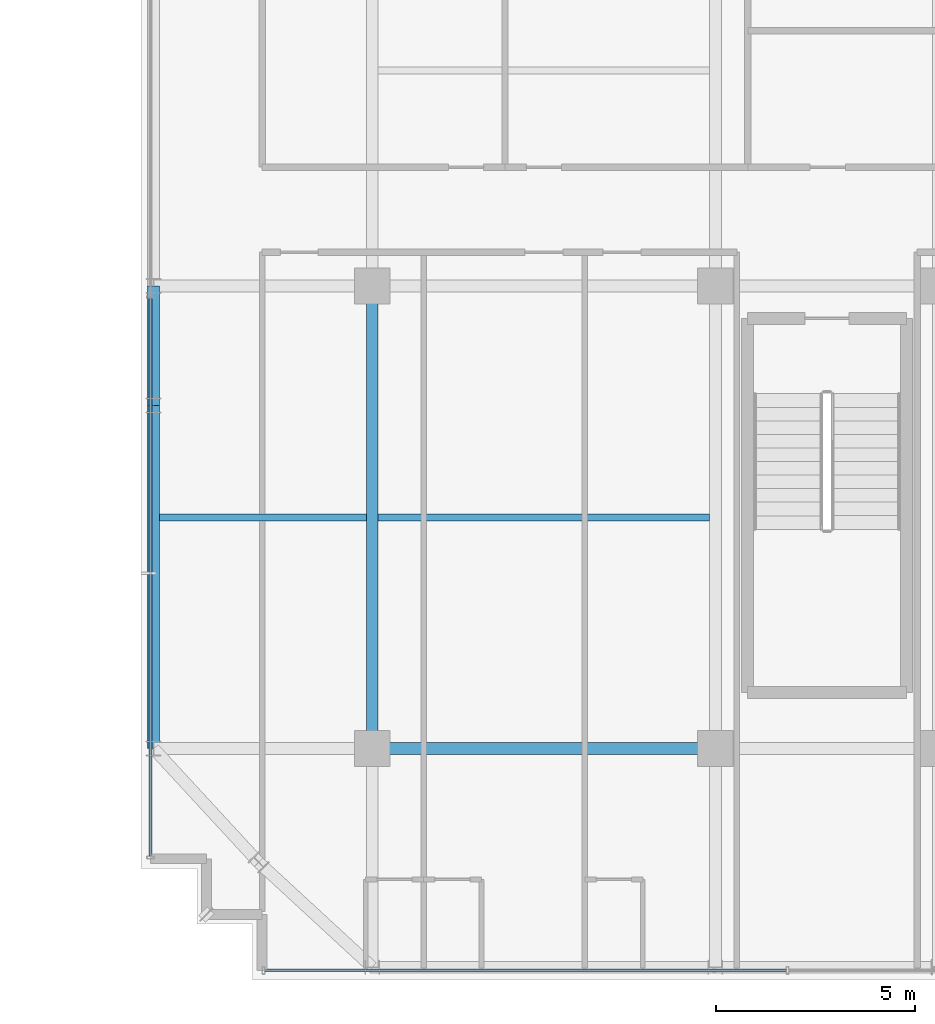
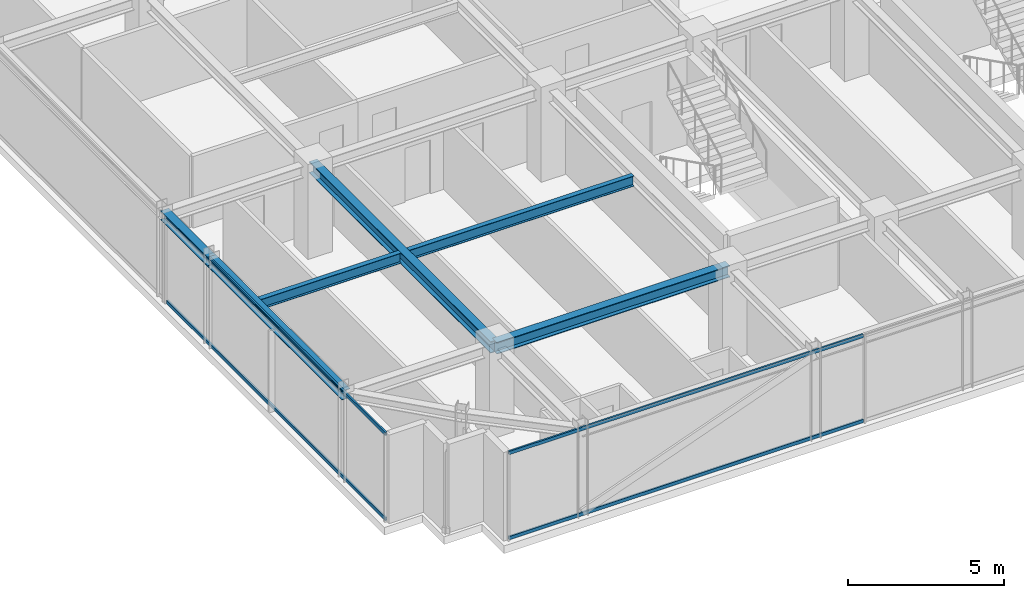
# One storey, part 5 of 36: 6 beams, 4 members, 2 elements without a shape of their own.
"""IFC4 building model written with IfcOpenShell, lengths in metres."""

from ifc_helpers import new_model, si_unit, direction, frame, origin, origin_2d, place, context, subcontext, project, spatial, hollow_rectangle, i_section, extrude, source, transform, mapped, material, material_profile, profile_set, type_object, element, aggregate, save


model = new_model("IFC4")

# Units and contexts
model_context = context("Model", 3, precision=1e-05, world=origin(), true_north=direction((0.0, 1.0)))
body_context = subcontext(model_context, "Body", "Model", "MODEL_VIEW")
ifc_project = project(units=[si_unit("LENGTHUNIT", "METRE"), si_unit("AREAUNIT", "SQUARE_METRE"), si_unit("VOLUMEUNIT", "CUBIC_METRE"), si_unit("PLANEANGLEUNIT", "RADIAN"), si_unit("MASSUNIT", "GRAM", prefix="KILO")], contexts=[model_context])

# Site, building, storey
site_placement = place(None, origin())
site = spatial("IfcSite", under=ifc_project, at=site_placement, CompositionType="ELEMENT")
building_placement = place(site_placement, origin())
building = spatial("IfcBuilding", under=site, at=building_placement, Name="Nahalor Promenade Grand Hotel", CompositionType="ELEMENT")
storey_placement = place(building_placement, frame((0.0, 0.0, 273.800048828125)))
storey = spatial("IfcBuildingStorey", under=building, at=storey_placement, Name="L70", CompositionType="ELEMENT", Elevation=273.800048828125)

# Beams
ifc_material_1 = material(Name="Steel S355JR", Category="steel")
ifc_material_profile_1 = material_profile(ifc_material_1, i_section(OverallWidth=0.3, OverallDepth=0.45, WebThickness=0.014, FlangeThickness=0.026, at=origin_2d()), Name="HEB 450")
ifc_profile_set_1 = profile_set([ifc_material_profile_1], Name="Steel S355JR")
beam_type_1 = type_object("IfcBeamType", Name="Beam-Girder-HEB450", PredefinedType="BEAM", material=ifc_profile_set_1)
shared_shape_1 = source(origin(), body_context, "Body", "SweptSolid", [
    extrude(i_section(OverallWidth=0.3, OverallDepth=0.45, WebThickness=0.014, FlangeThickness=0.026, at=origin_2d()), origin(), (0.0, 0.0, 1.0), 8.60009765625),
])
beam_1_placement = place(storey_placement, frame((-17.0, -17.0, 3.224853515625), z_axis=(1.0, 0.0, 0.0), x_axis=(0.0, 1.0, 0.0)))
element("IfcBeam", 1, at=beam_1_placement, inside=storey, type_object=beam_type_1, Name="BM-L70-GX-0-1", PredefinedType="BEAM", context=body_context, shape_type="MappedRepresentation", body=[
    mapped(shared_shape_1, transform((0.0, 0.0, 0.0), scale=1.0)),
])
shared_shape_2 = source(origin(), body_context, "Body", "SweptSolid", [
    extrude(i_section(OverallWidth=0.3, OverallDepth=0.45, WebThickness=0.014, FlangeThickness=0.026, at=origin_2d()), origin(), (0.0, 0.0, 1.0), 11.60009765625),
])
beam_2_placement = place(storey_placement, frame((-17.0, -17.0, 3.224853515625), z_axis=(0.0, 1.0, 0.0), x_axis=(-1.0, 0.0, 0.0)))
element("IfcBeam", 2, at=beam_2_placement, inside=storey, type_object=beam_type_1, Name="BM-L70-GY-0-1", PredefinedType="BEAM", context=body_context, shape_type="MappedRepresentation", body=[
    mapped(shared_shape_2, transform((0.0, 0.0, 0.0), scale=1.0)),
])
ifc_material_profile_2 = material_profile(ifc_material_1, i_section(OverallWidth=0.18, OverallDepth=0.4, WebThickness=0.0086, FlangeThickness=0.0135, at=origin_2d()), Name="IPE 400")
ifc_profile_set_2 = profile_set([ifc_material_profile_2], Name="Steel S355JR")
beam_type_2 = type_object("IfcBeamType", Name="Beam-Joist-IPE400", PredefinedType="JOIST", material=ifc_profile_set_2)
shared_shape_3 = source(origin(), body_context, "Body", "SweptSolid", [
    extrude(i_section(OverallWidth=0.18, OverallDepth=0.4, WebThickness=0.0086, FlangeThickness=0.0135, at=origin_2d()), origin(), (0.0, 0.0, 1.0), 8.300048828125),
])
beam_3_placement = place(storey_placement, frame((-16.85009765625, -11.199951171875, 3.25), z_axis=(1.0, 0.0, 0.0), x_axis=(0.0, 1.0, 0.0)))
element("IfcBeam", 3, at=beam_3_placement, inside=storey, type_object=beam_type_2, Name="BM-L70-JSW-0-1", PredefinedType="JOIST", context=body_context, shape_type="MappedRepresentation", body=[
    mapped(shared_shape_3, transform((0.0, 0.0, 0.0), scale=1.0)),
])
shared_shape_4 = source(origin(), body_context, "Body", "SweptSolid", [
    extrude(i_section(OverallWidth=0.18, OverallDepth=0.4, WebThickness=0.0086, FlangeThickness=0.0135, at=origin_2d()), origin(), (0.0, 0.0, 1.0), 5.18017578125),
])
beam_4_placement = place(storey_placement, frame((-22.330078125, -11.199951171875, 3.25), z_axis=(1.0, 0.0, 0.0), x_axis=(0.0, 1.0, 0.0)))
element("IfcBeam", 4, at=beam_4_placement, inside=storey, type_object=beam_type_2, Name="BM-L70-JSW-0-0", PredefinedType="JOIST", context=body_context, shape_type="MappedRepresentation", body=[
    mapped(shared_shape_4, transform((0.0, 0.0, 0.0), scale=1.0)),
])
ifc_material_profile_3 = material_profile(ifc_material_1, i_section(OverallWidth=0.3, OverallDepth=0.36, WebThickness=0.0125, FlangeThickness=0.0225, at=origin_2d()), Name="HEB 360")
ifc_profile_set_3 = profile_set([ifc_material_profile_3], Name="Steel S355JR")
beam_type_3 = type_object("IfcBeamType", Name="Beam-Spandrel-HEB360", PredefinedType="SPANDREL", material=ifc_profile_set_3)
shared_shape_5 = source(origin(), body_context, "Body", "SweptSolid", [
    extrude(i_section(OverallWidth=0.3, OverallDepth=0.36, WebThickness=0.0125, FlangeThickness=0.0225, at=origin_2d()), origin(), (0.0, 0.0, 1.0), 8.60009765625),
])
beam_5_placement = place(storey_placement, frame((-22.47998046875, -17.0, 3.27001953125), z_axis=(0.0, 1.0, 0.0), x_axis=(-1.0, 0.0, 0.0)))
element("IfcBeam", 5, at=beam_5_placement, inside=storey, type_object=beam_type_3, Name="BM-L70-SP-W-0", PredefinedType="SPANDREL", context=body_context, shape_type="MappedRepresentation", body=[
    mapped(shared_shape_5, transform((0.0, 0.0, 0.0), scale=1.0)),
])
shared_shape_6 = source(origin(), body_context, "Body", "SweptSolid", [
    extrude(i_section(OverallWidth=0.3, OverallDepth=0.36, WebThickness=0.0125, FlangeThickness=0.0225, at=origin_2d()), origin(), (0.0, 0.0, 1.0), 3.0),
])
beam_6_placement = place(storey_placement, frame((-22.47998046875, -8.39990234375, 3.27001953125), z_axis=(0.0, 1.0, 0.0), x_axis=(-1.0, 0.0, 0.0)))
element("IfcBeam", 6, at=beam_6_placement, inside=storey, type_object=beam_type_3, Name="BM-L70-SP-W-1", PredefinedType="SPANDREL", context=body_context, shape_type="MappedRepresentation", body=[
    mapped(shared_shape_6, transform((0.0, 0.0, 0.0), scale=1.0)),
])

# Curtain wall, members
ifc_material_2 = material(Name="Anodised Bronze Aluminium EN AW-6063 T6", Category="aluminium")
curtain_wall_type = type_object("IfcCurtainWallType", Name="CW2 Typical Hotel Flush Bronze Unitised Curtain Wall", PredefinedType="USERDEFINED", material=ifc_material_2)
curtain_wall_1_placement = place(storey_placement, origin())
curtain_wall_1 = element("IfcCurtainWall", 7, at=curtain_wall_1_placement, inside=storey, type_object=curtain_wall_type, Name="L70 Curtain Wall CW-L70-W-1", ObjectType="UNITISED_CURTAIN_WALL", PredefinedType="USERDEFINED")
ifc_material_profile_4 = material_profile(ifc_material_2, hollow_rectangle(XDim=0.065, YDim=0.13, WallThickness=0.004, at=origin_2d()), Name="CWT 65x130x4")
ifc_profile_set_4 = profile_set([ifc_material_profile_4], Name="Anodised Bronze Aluminium EN AW-6063 T6")
member_type = type_object("IfcMemberType", Name="CWT2 Typical Bronze Transom 65x130", PredefinedType="USERDEFINED", material=ifc_profile_set_4)
shared_shape_7 = source(origin(), body_context, "Body", "SweptSolid", [
    extrude(hollow_rectangle(XDim=0.065, YDim=0.13, WallThickness=0.004, at=origin_2d()), origin(), (0.0, 0.0, 1.0), 13.982666015625),
])
member_1_placement = place(storey_placement, frame((-22.56005859375, -19.695068359375, 0.06494140625), z_axis=(0.0, 1.0, 0.0), x_axis=(-1.0, 0.0, 0.0)))
member_1 = element("IfcMember", 8, at=member_1_placement, type_object=member_type, Name="CW-L70-W-1 Transom 0-0", ObjectType="TRANSOM", PredefinedType="USERDEFINED", context=body_context, shape_type="MappedRepresentation", body=[
    mapped(shared_shape_7, transform((0.0, 0.0, 0.0), scale=1.0)),
])
member_2_placement = place(storey_placement, frame((-22.56005859375, -19.695068359375, 3.385009765625), z_axis=(0.0, 1.0, 0.0), x_axis=(-1.0, 0.0, 0.0)))
member_2 = element("IfcMember", 9, at=member_2_placement, type_object=member_type, Name="CW-L70-W-1 Transom 0-1", ObjectType="TRANSOM", PredefinedType="USERDEFINED", context=body_context, shape_type="MappedRepresentation", body=[
    mapped(shared_shape_7, transform((0.0, 0.0, 0.0), scale=1.0)),
])
aggregate(curtain_wall_1, [member_1, member_2])

curtain_wall_2_placement = place(storey_placement, origin())
curtain_wall_2 = element("IfcCurtainWall", 10, at=curtain_wall_2_placement, inside=storey, type_object=curtain_wall_type, Name="L70 Curtain Wall CW-L70-S-1", ObjectType="UNITISED_CURTAIN_WALL", PredefinedType="USERDEFINED")
shared_shape_8 = source(origin(), body_context, "Body", "SweptSolid", [
    extrude(hollow_rectangle(XDim=0.065, YDim=0.13, WallThickness=0.004, at=origin_2d()), origin(), (0.0, 0.0, 1.0), 13.075927734375),
])
member_3_placement = place(storey_placement, frame((-19.695068359375, -22.56005859375, 0.06494140625), z_axis=(1.0, 0.0, 0.0), x_axis=(0.0, 1.0, 0.0)))
member_3 = element("IfcMember", 11, at=member_3_placement, type_object=member_type, Name="CW-L70-S-1 Transom 0-0", ObjectType="TRANSOM", PredefinedType="USERDEFINED", context=body_context, shape_type="MappedRepresentation", body=[
    mapped(shared_shape_8, transform((0.0, 0.0, 0.0), scale=1.0)),
])
member_4_placement = place(storey_placement, frame((-19.695068359375, -22.56005859375, 3.385009765625), z_axis=(1.0, 0.0, 0.0), x_axis=(0.0, 1.0, 0.0)))
member_4 = element("IfcMember", 12, at=member_4_placement, type_object=member_type, Name="CW-L70-S-1 Transom 0-1", ObjectType="TRANSOM", PredefinedType="USERDEFINED", context=body_context, shape_type="MappedRepresentation", body=[
    mapped(shared_shape_8, transform((0.0, 0.0, 0.0), scale=1.0)),
])
aggregate(curtain_wall_2, [member_3, member_4])

save(model, "model.ifc")
